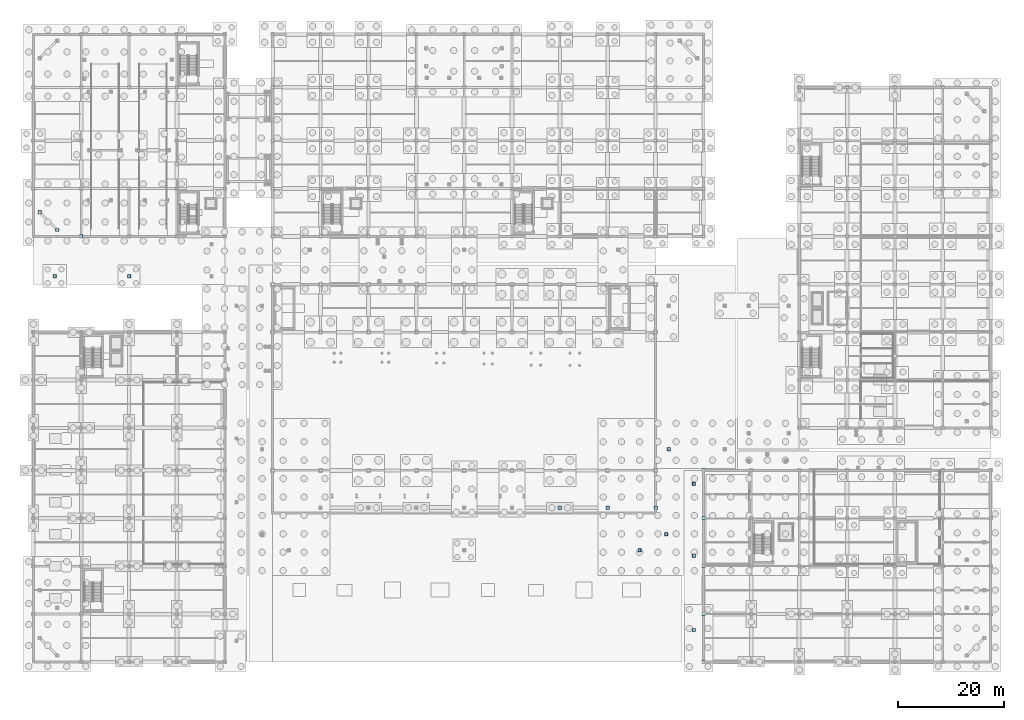
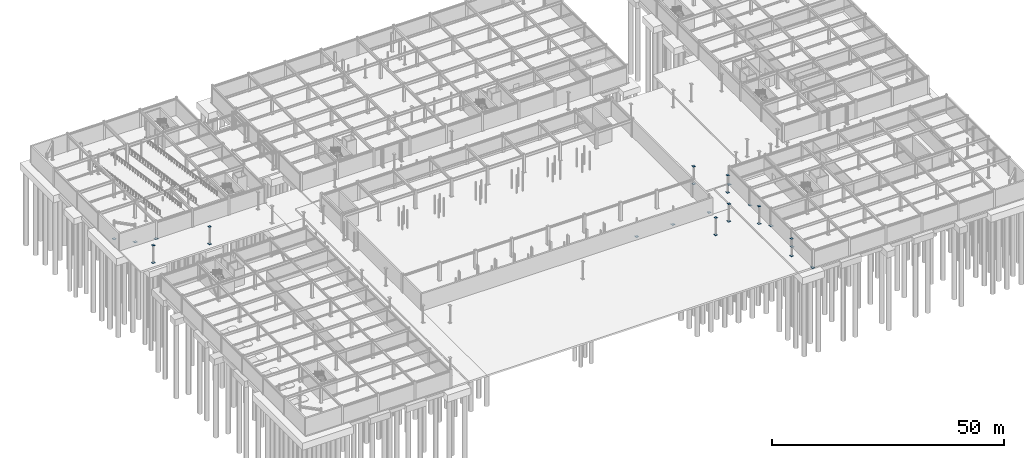
# One storey, part 47 of 74: 27 plates.
"""IFC4 building model written with IfcOpenShell, lengths in metres."""

from ifc_helpers import new_model, si_unit, direction, frame, origin, origin_2d, place, context, subcontext, project, spatial, rectangle, extrude, material, layer, layer_set, type_object, element, save


model = new_model("IFC4")

# Units and contexts
model_context = context("Model", 3, precision=1e-05, world=origin(), true_north=direction((0.0, 1.0)))
body_context = subcontext(model_context, "Body", "Model", "MODEL_VIEW")
ifc_project = project(units=[si_unit("LENGTHUNIT", "METRE"), si_unit("AREAUNIT", "SQUARE_METRE"), si_unit("VOLUMEUNIT", "CUBIC_METRE"), si_unit("PLANEANGLEUNIT", "RADIAN"), si_unit("MASSUNIT", "GRAM", prefix="KILO")], contexts=[model_context])

# Site, building, storey
site_placement = place(None, origin())
site = spatial("IfcSite", under=ifc_project, at=site_placement, CompositionType="ELEMENT")
building_placement = place(site_placement, origin())
building = spatial("IfcBuilding", under=site, at=building_placement, Name="Suzunagisa Mobility Hub", CompositionType="ELEMENT")
storey_placement = place(building_placement, frame((0.0, 0.0, -4.800048828125)))
storey = spatial("IfcBuildingStorey", under=building, at=storey_placement, Name="B1", CompositionType="ELEMENT", Elevation=-4.800048828125)

# Plates
ifc_material = material(Name="Steel SN490B", Category="steel")
ifc_layer_1 = layer(ifc_material, 0.02392578125)
ifc_layer_set_1 = layer_set([ifc_layer_1], Name="Steel SN490B")
plate_type_1 = type_object("IfcPlateType", Name="Structural Steel Plate SP-01 550x550x24", PredefinedType="USERDEFINED", material=ifc_layer_set_1)
for number, where, z_axis, x_axis, name in (
    (1, (4.0, 72.5, 4.55517578125), (0.0, 0.0, 1.0), (1.0, 0.0, 0.0), "B1 Column Cap Plate CP-15"),
    (2, (18.0, 72.5, 4.55517578125), (0.0, 0.0, 1.0), (1.0, 0.0, 0.0), "B1 Column Cap Plate CP-49"),
    (3, (114.0, 21.0, 4.55517578125), (0.0, 0.0, 1.0), (1.0, 0.0, 0.0), "B1 Column Cap Plate CP-210"),
    (4, (119.0, 24.0, 4.55517578125), (0.0, 0.0, 1.0), (1.0, 0.0, 0.0), "B1 Column Cap Plate CP-220"),
    (5, (119.5, 40.0, 4.55517578125), (0.0, 0.0, 1.0), (1.0, 0.0, 0.0), "B1 Column Cap Plate CP-221"),
    (6, (124.199951171875, 6.0, 4.55517578125), (0.0, 0.0, 1.0), (1.0, 0.0, 0.0), "B1 Column Cap Plate CP-224"),
    (7, (124.199951171875, 20.0, 4.55517578125), (0.0, 0.0, 1.0), (1.0, 0.0, 0.0), "B1 Column Cap Plate CP-225"),
    (8, (124.199951171875, 33.5, 4.55517578125), (0.0, 0.0, 1.0), (1.0, 0.0, 0.0), "B1 Column Cap Plate CP-226"),
):
    element("IfcPlate", number, at=place(storey_placement, frame(where, z_axis=z_axis, x_axis=x_axis)), inside=storey, type_object=plate_type_1, Name=name, ObjectType="BASE PLATE", PredefinedType="USERDEFINED", context=body_context, shape_type="SweptSolid", body=[
        extrude(rectangle(XDim=0.550048828125, YDim=0.550048828125, at=origin_2d()), origin(), (0.0, 0.0, 1.0), 0.02392578125),
    ])
ifc_layer_2 = layer(ifc_material, 0.031982421875)
ifc_layer_set_2 = layer_set([ifc_layer_2], Name="Steel SN490B")
plate_type_2 = type_object("IfcPlateType", Name="Structural Steel Plate SP-05 650x650x32", PredefinedType="USERDEFINED", material=ifc_layer_set_2)
for number, where, z_axis, x_axis, name in (
    (9, (1.205810546875, 84.5, -0.03173828125), (0.0, 0.0, 1.0), (1.0, 0.0, 0.0), "Column Base Plate BP-13"),
    (10, (4.0, 72.5, -0.03173828125), (0.0, 0.0, 1.0), (1.0, 0.0, 0.0), "Column Base Plate BP-15"),
    (11, (4.5, 81.205810546875, -0.03173828125), (0.0, 0.0, 1.0), (1.0, 0.0, 0.0), "Column Base Plate BP-18"),
    (12, (9.0, 80.0, -0.03173828125), (0.0, 0.0, 1.0), (1.0, 0.0, 0.0), "Column Base Plate BP-28"),
    (13, (18.0, 72.5, -0.03173828125), (0.0, 0.0, 1.0), (1.0, 0.0, 0.0), "Column Base Plate BP-49"),
    (14, (99.0, 29.0, -0.03173828125), (0.0, 0.0, 1.0), (1.0, 0.0, 0.0), "Column Base Plate BP-191"),
    (15, (108.0, 29.0, -0.03173828125), (0.0, 0.0, 1.0), (1.0, 0.0, 0.0), "Column Base Plate BP-200"),
    (16, (114.0, 21.0, -0.03173828125), (0.0, 0.0, 1.0), (1.0, 0.0, 0.0), "Column Base Plate BP-210"),
    (17, (117.0, 29.0, -0.03173828125), (0.0, 0.0, 1.0), (1.0, 0.0, 0.0), "Column Base Plate BP-211"),
    (18, (119.0, 24.0, -0.03173828125), (0.0, 0.0, 1.0), (1.0, 0.0, 0.0), "Column Base Plate BP-220"),
    (19, (119.5, 40.0, -0.03173828125), (0.0, 0.0, 1.0), (1.0, 0.0, 0.0), "Column Base Plate BP-221"),
    (20, (124.199951171875, 6.0, -0.03173828125), (0.0, 0.0, 1.0), (1.0, 0.0, 0.0), "Column Base Plate BP-224"),
    (21, (124.199951171875, 20.0, -0.03173828125), (0.0, 0.0, 1.0), (1.0, 0.0, 0.0), "Column Base Plate BP-225"),
    (22, (124.199951171875, 33.5, -0.03173828125), (0.0, 0.0, 1.0), (1.0, 0.0, 0.0), "Column Base Plate BP-226"),
    (23, (126.0, 0.0, -0.03173828125), (0.0, 0.0, 1.0), (1.0, 0.0, 0.0), "Column Base Plate BP-228"),
    (24, (126.0, 9.0, -0.03173828125), (0.0, 0.0, 1.0), (1.0, 0.0, 0.0), "Column Base Plate BP-229"),
    (25, (126.0, 18.0, -0.03173828125), (0.0, 0.0, 1.0), (1.0, 0.0, 0.0), "Column Base Plate BP-230"),
    (26, (126.0, 27.0, -0.03173828125), (0.0, 0.0, 1.0), (1.0, 0.0, 0.0), "Column Base Plate BP-231"),
    (27, (126.0, 36.0, -0.03173828125), (0.0, 0.0, 1.0), (1.0, 0.0, 0.0), "Column Base Plate BP-232"),
):
    element("IfcPlate", number, at=place(storey_placement, frame(where, z_axis=z_axis, x_axis=x_axis)), inside=storey, type_object=plate_type_2, Name=name, ObjectType="BASE PLATE", PredefinedType="USERDEFINED", context=body_context, shape_type="SweptSolid", body=[
        extrude(rectangle(XDim=0.64990234375, YDim=0.64990234375, at=origin_2d()), origin(), (0.0, 0.0, 1.0), 0.031982421875),
    ])

save(model, "model.ifc")
